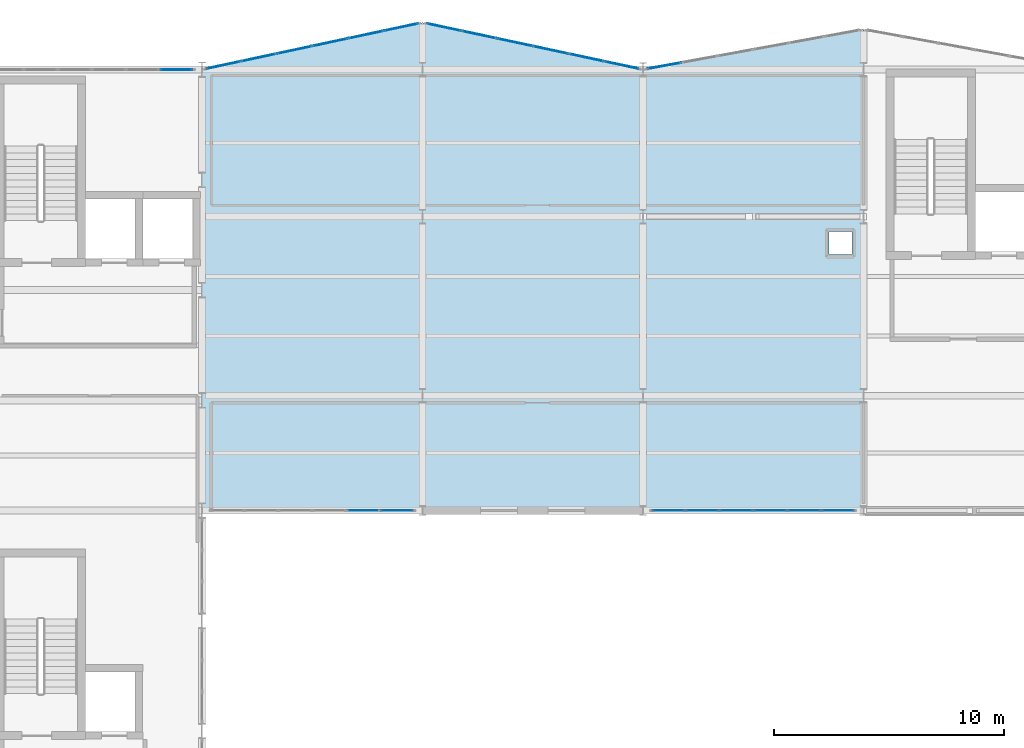
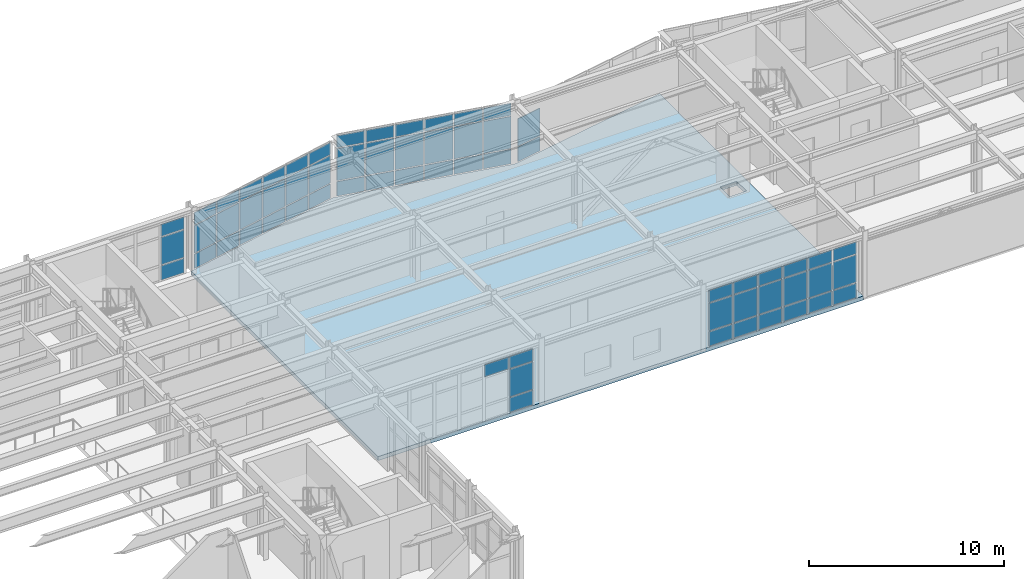
# One storey, part 68 of 99: 63 plates, 1 slab, 6 elements without a shape of their own.
"""IFC4 building model written with IfcOpenShell, lengths in metres."""

import ifcopenshell
import ifcopenshell.guid

model = None  # the IFC model being written
_history = None  # IfcOwnerHistory: only IFC2X3 demands one
_inside = {}  # id of a spatial element -> (the spatial element, [elements in it])
_under = {}  # id of a project, library or spatial element -> (it, [spatial elements below it])
_declared = {}  # id of a project -> (the project, [libraries it declares])
_typed = {}  # id of a type object -> (the type object, [elements of that type])
_made_of = {}  # id of a material, layer set ... -> (it, [elements and type objects made of it])


def new_model(schema):
    """Start an empty IFC model of exactly this schema.

    Asked for "IFC4X3", IfcOpenShell would pick the latest addendum, in which some entities
    have other attributes; the version numbers below select the first issue.
    IFC2X3 requires an IfcOwnerHistory on every rooted entity: one is made here for all.
    """
    global model, _history
    if schema == "IFC4X3":
        model = ifcopenshell.file(schema_version=(4, 3, 0, 0))
    else:
        model = ifcopenshell.file(schema=schema)
    _inside.clear()
    _under.clear()
    _declared.clear()
    _typed.clear()
    _made_of.clear()
    _history = None
    if model.schema == "IFC2X3":
        org = make("IfcOrganization", Name="unknown")
        user = make(
            "IfcPersonAndOrganization",
            ThePerson=make("IfcPerson", FamilyName="unknown"),
            TheOrganization=org,
        )
        app = make(
            "IfcApplication",
            ApplicationDeveloper=org,
            Version="unknown",
            ApplicationFullName="unknown",
            ApplicationIdentifier="unknown",
        )
        _history = make(
            "IfcOwnerHistory",
            OwningUser=user,
            OwningApplication=app,
            ChangeAction="ADDED",
            CreationDate=0,
        )
    return model


def make(cls, **values):
    """One entity of the class cls with the attributes given. An attribute that is None is left unset."""
    return model.create_entity(
        cls, **{name: value for name, value in values.items() if value is not None}
    )


def rooted(cls, **values):
    """An entity with a GlobalId (a new one), such as an element, a storey or a relation."""
    return make(cls, GlobalId=ifcopenshell.guid.new(), OwnerHistory=_history, **values)


def si_unit(unit_type, name, prefix=None):
    """IfcSIUnit, for example si_unit("LENGTHUNIT", "METRE", prefix="MILLI")."""
    return make("IfcSIUnit", UnitType=unit_type, Prefix=prefix, Name=name)


def assignment(units):
    """IfcUnitAssignment: the units of a project."""
    return None if units is None else make("IfcUnitAssignment", Units=units)


def point(xyz):
    """IfcCartesianPoint."""
    return None if xyz is None else make("IfcCartesianPoint", Coordinates=xyz)


def direction(xyz):
    """IfcDirection."""
    return None if xyz is None else make("IfcDirection", DirectionRatios=xyz)


def frame(location, z_axis=None, x_axis=None):
    """IfcAxis2Placement3D, a coordinate frame: its origin and axes. An axis left out is left unset."""
    return make(
        "IfcAxis2Placement3D",
        Location=point(location),
        Axis=direction(z_axis),
        RefDirection=direction(x_axis),
    )


def frame_2d(location, x_axis=None):
    """IfcAxis2Placement2D, a coordinate frame in the plane: its origin and x axis."""
    return make(
        "IfcAxis2Placement2D", Location=point(location), RefDirection=direction(x_axis)
    )


def origin():
    """The frame at (0, 0, 0) with its axes left unset."""
    return frame((0.0, 0.0, 0.0))


def origin_2d():
    """The frame at (0, 0) in the plane with its x axis left unset."""
    return frame_2d((0.0, 0.0))


def place(relative_to, where):
    """IfcLocalPlacement: puts the frame where relative to a parent placement (None: the world)."""
    return make(
        "IfcLocalPlacement", PlacementRelTo=relative_to, RelativePlacement=where
    )


def context(
    kind, dimensions, precision=None, world=None, true_north=None, identifier=None
):
    """IfcGeometricRepresentationContext, for example the 3D "Model" context."""
    return make(
        "IfcGeometricRepresentationContext",
        ContextIdentifier=identifier,
        ContextType=kind,
        CoordinateSpaceDimension=dimensions,
        Precision=precision,
        WorldCoordinateSystem=world,
        TrueNorth=true_north,
    )


def subcontext(parent, identifier, kind, view, scale=None):
    """IfcGeometricRepresentationSubContext, for example "Body" below "Model"."""
    return make(
        "IfcGeometricRepresentationSubContext",
        ContextIdentifier=identifier,
        ContextType=kind,
        ParentContext=parent,
        TargetScale=scale,
        TargetView=view,
    )


def project(units=None, contexts=None):
    """IfcProject with its units and contexts."""
    return rooted(
        "IfcProject",
        Name="project",
        RepresentationContexts=contexts,
        UnitsInContext=assignment(units),
    )


def spatial(cls, under=None, at=None, **own):
    """A site, building, storey or space (cls), placed at a placement, below another one or the project."""
    s = rooted(cls, ObjectPlacement=at, **own)
    if under is not None:
        _under.setdefault(under.id(), (under, []))[1].append(s)
    return s


def polyline(points):
    """IfcPolyline through the points."""
    return make("IfcPolyline", Points=[point(p) for p in points])


def profile(cls, at=None, kind="AREA", **sizes):
    """A parametric profile (cls). Its sizes go by their IFC names, for example OverallWidth=200.0."""
    return make(cls, ProfileType=kind, Position=at, **sizes)


def rectangle(**sizes):
    """IfcRectangleProfileDef."""
    return profile("IfcRectangleProfileDef", **sizes)


def outline(outer, holes=None, kind="AREA"):
    """IfcArbitraryClosedProfileDef: a profile drawn as a closed curve; with holes, ...WithVoids."""
    if holes is None:
        return make("IfcArbitraryClosedProfileDef", ProfileType=kind, OuterCurve=outer)
    return make(
        "IfcArbitraryProfileDefWithVoids",
        ProfileType=kind,
        OuterCurve=outer,
        InnerCurves=holes,
    )


def extrude(swept, where, along, depth):
    """IfcExtrudedAreaSolid: the profile swept, set in the frame where, extruded along a direction by depth."""
    return make(
        "IfcExtrudedAreaSolid",
        SweptArea=swept,
        Position=where,
        ExtrudedDirection=direction(along),
        Depth=depth,
    )


def shape(context_of_items, identifier, shape_type, items):
    """IfcShapeRepresentation: the items that make up one representation, for example the "Body"."""
    return make(
        "IfcShapeRepresentation",
        ContextOfItems=context_of_items,
        RepresentationIdentifier=identifier,
        RepresentationType=shape_type,
        Items=items,
    )


def material(Name=None, Category=None):
    """IfcMaterial."""
    return make("IfcMaterial", Name=Name, Category=Category)


def layer(
    of_material, thickness, ventilated=None, Name=None, Category=None, Priority=None
):
    """IfcMaterialLayer: one layer of a wall or slab, of a material (None: an air gap)."""
    return make(
        "IfcMaterialLayer",
        Material=of_material,
        LayerThickness=thickness,
        IsVentilated=ventilated,
        Name=Name,
        Category=Category,
        Priority=Priority,
    )


def layer_set(layers, Name=None):
    """IfcMaterialLayerSet."""
    return make("IfcMaterialLayerSet", MaterialLayers=layers, LayerSetName=Name)


def made_of(thing, what):
    """Note that an element or type object is made of a material, layer set ...; save() writes the relation."""
    if what is not None:
        _made_of.setdefault(what.id(), (what, []))[1].append(thing)
    return thing


def type_object(cls, material=None, **own):
    """A type object (cls), such as IfcWallType, which elements share."""
    return made_of(rooted(cls, **own), material)


def element(
    cls,
    number,
    at=None,
    inside=None,
    cuts=None,
    type_object=None,
    material=None,
    context=None,
    identifier="Body",
    shape_type=None,
    held_by="IfcProductDefinitionShape",
    body=None,
    shapes=None,
    **own,
):
    """One element of the class cls, such as IfcWall. Its Tag is "e" and its number.

    at: its placement. inside: the storey or other place that contains it. cuts: it is an
    opening in that element (IfcRelVoidsElement). A single representation is given by context,
    identifier, shape_type and body (its items); several are given by shapes. held_by: the class
    of the entity that holds the representations. save() writes the other relations.
    """
    e = rooted(cls, Tag="e%d" % number, ObjectPlacement=at, **own)
    if body is not None:
        shapes = [shape(context, identifier, shape_type, body)]
    if shapes is not None:
        e.Representation = make(held_by, Representations=shapes)
    if inside is not None:
        _inside.setdefault(inside.id(), (inside, []))[1].append(e)
    if cuts is not None:
        rooted(
            "IfcRelVoidsElement", RelatingBuildingElement=cuts, RelatedOpeningElement=e
        )
    if type_object is not None:
        _typed.setdefault(type_object.id(), (type_object, []))[1].append(e)
    return made_of(e, material)


def aggregate(whole, parts):
    """IfcRelAggregates: a whole, such as a stair, and the parts it consists of."""
    return rooted("IfcRelAggregates", RelatingObject=whole, RelatedObjects=parts)


def save(model, path):
    """Write the relations noted so far, then the file.

    IfcRelAggregates (storeys below a building ...), IfcRelContainedInSpatialStructure (elements
    in a storey), IfcRelDefinesByType, IfcRelAssociatesMaterial and IfcRelDeclares: one each for
    every whole, place, type object, material and project.
    """
    for whole, parts in _under.values():
        aggregate(whole, parts)
    for where, things in _inside.values():
        rooted(
            "IfcRelContainedInSpatialStructure",
            RelatedElements=things,
            RelatingStructure=where,
        )
    for kind, things in _typed.values():
        rooted("IfcRelDefinesByType", RelatedObjects=things, RelatingType=kind)
    for what, things in _made_of.values():
        rooted("IfcRelAssociatesMaterial", RelatedObjects=things, RelatingMaterial=what)
    for by, libraries in _declared.values():
        rooted("IfcRelDeclares", RelatingContext=by, RelatedDefinitions=libraries)
    model.write(path)


model = new_model("IFC4")

# Units and contexts
model_context = context("Model", 3, precision=1e-05, world=origin(), true_north=direction((0.0, 1.0)))
body_context = subcontext(model_context, "Body", "Model", "MODEL_VIEW")
ifc_project = project(units=[si_unit("LENGTHUNIT", "METRE"), si_unit("AREAUNIT", "SQUARE_METRE"), si_unit("VOLUMEUNIT", "CUBIC_METRE"), si_unit("PLANEANGLEUNIT", "RADIAN"), si_unit("MASSUNIT", "GRAM", prefix="KILO")], contexts=[model_context])

# Site, building, storey
site_placement = place(None, origin())
site = spatial("IfcSite", under=ifc_project, at=site_placement, CompositionType="ELEMENT")
building_placement = place(site_placement, origin())
building = spatial("IfcBuilding", under=site, at=building_placement, Name="Nordkorset Police Headquarters", CompositionType="ELEMENT")
storey_placement = place(building_placement, frame((0.0, 0.0, 5.25)))
storey = spatial("IfcBuildingStorey", under=building, at=storey_placement, Name="L01", CompositionType="ELEMENT", Elevation=5.25)

# Curtain wall, plates
ifc_material_1 = material(Name="Aluminium alloy AW-6060", Category="aluminium")
ifc_layer_1 = layer(ifc_material_1, 0.179931640625, Name="Aluminium alloy AW-6060")
ifc_layer_set_1 = layer_set([ifc_layer_1], Name="Aluminium alloy AW-6060")
curtain_wall_type_1 = type_object("IfcCurtainWallType", Name="CW_Unit_888x363", PredefinedType="USERDEFINED", material=ifc_layer_set_1)
curtain_wall_1_placement = place(storey_placement, origin())
curtain_wall_1 = element("IfcCurtainWall", 1, at=curtain_wall_1_placement, inside=storey, type_object=curtain_wall_type_1, Name="Unitised Curtain Wall L01 V1N-2", ObjectType="UNITISED CURTAIN WALL", PredefinedType="USERDEFINED")
ifc_material_2 = material(Name="Low-iron triple glazing", Category="glass")
ifc_layer_2 = layer(ifc_material_2, 0.035888671875, Name="Low-iron triple glazing")
ifc_layer_set_2 = layer_set([ifc_layer_2], Name="Low-iron triple glazing")
plate_type = type_object("IfcPlateType", Name="CW_Panel_TripleGlazing_36", PredefinedType="CURTAIN_PANEL", material=ifc_layer_set_2)
plate_1_placement = place(storey_placement, frame((27.683837890625, 116.800048828125, 0.06494140625), z_axis=(0.0, 0.0, 1.0), x_axis=(1.0, 0.0, 0.0)))
plate_1 = element("IfcPlate", 2, at=plate_1_placement, type_object=plate_type, Name="CW-07 panel 6.1", PredefinedType="CURTAIN_PANEL", context=body_context, shape_type="SweptSolid", body=[
    extrude(rectangle(XDim=1.382568359375, YDim=0.035888671875, at=origin_2d()), origin(), (0.0, 0.0, 1.0), 0.902587890625),
])
plate_2_placement = place(storey_placement, frame((27.683837890625, 116.800048828125, 1.0322265625), z_axis=(0.0, 0.0, 1.0), x_axis=(1.0, 0.0, 0.0)))
plate_2 = element("IfcPlate", 3, at=plate_2_placement, type_object=plate_type, Name="CW-07 panel 6.2", PredefinedType="CURTAIN_PANEL", context=body_context, shape_type="SweptSolid", body=[
    extrude(rectangle(XDim=1.382568359375, YDim=0.035888671875, at=origin_2d()), origin(), (0.0, 0.0, 1.0), 1.715087890625),
])
plate_3_placement = place(storey_placement, frame((27.683837890625, 116.800048828125, 2.8125), z_axis=(0.0, 0.0, 1.0), x_axis=(1.0, 0.0, 0.0)))
plate_3 = element("IfcPlate", 4, at=plate_3_placement, type_object=plate_type, Name="CW-07 panel 6.3", PredefinedType="CURTAIN_PANEL", context=body_context, shape_type="SweptSolid", body=[
    extrude(rectangle(XDim=1.382568359375, YDim=0.035888671875, at=origin_2d()), origin(), (0.0, 0.0, 1.0), 0.75244140625),
])
aggregate(curtain_wall_1, [plate_1, plate_2, plate_3])

ifc_material_3 = material(Name="Aluminium alloy AW-6060", Category="aluminium")
ifc_layer_3 = layer(ifc_material_3, 0.179931640625, Name="Aluminium alloy AW-6060")
ifc_layer_set_3 = layer_set([ifc_layer_3], Name="Aluminium alloy AW-6060")
curtain_wall_type_2 = type_object("IfcCurtainWallType", Name="CW_Unit_954x363", PredefinedType="USERDEFINED", material=ifc_layer_set_3)
curtain_wall_2_placement = place(storey_placement, origin())
curtain_wall_2 = element("IfcCurtainWall", 5, at=curtain_wall_2_placement, inside=storey, type_object=curtain_wall_type_2, Name="Unitised Curtain Wall L01 V2N-0", ObjectType="UNITISED CURTAIN WALL", PredefinedType="USERDEFINED")
plate_4_placement = place(storey_placement, frame((29.72998046875, 116.99853515625, 0.06494140625), z_axis=(0.0, 0.0, 1.0), x_axis=(0.977951416289, 0.208832534289, 0.0)))
plate_4 = element("IfcPlate", 6, at=plate_4_placement, type_object=plate_type, Name="CW-106 panel 1.1", PredefinedType="CURTAIN_PANEL", context=body_context, shape_type="SweptSolid", body=[
    extrude(rectangle(XDim=1.491943359375, YDim=0.035888671875, at=origin_2d()), origin(), (0.0, 0.0, 1.0), 0.902587890625),
])
plate_5_placement = place(storey_placement, frame((29.72998046875, 116.99853515625, 1.0322265625), z_axis=(0.0, 0.0, 1.0), x_axis=(0.977951416289, 0.208832534289, 0.0)))
plate_5 = element("IfcPlate", 7, at=plate_5_placement, type_object=plate_type, Name="CW-106 panel 1.2", PredefinedType="CURTAIN_PANEL", context=body_context, shape_type="SweptSolid", body=[
    extrude(rectangle(XDim=1.491943359375, YDim=0.035888671875, at=origin_2d()), origin(), (0.0, 0.0, 1.0), 1.715087890625),
])
plate_6_placement = place(storey_placement, frame((29.72998046875, 116.99853515625, 2.8125), z_axis=(0.0, 0.0, 1.0), x_axis=(0.977951416289, 0.208832534289, 0.0)))
plate_6 = element("IfcPlate", 8, at=plate_6_placement, type_object=plate_type, Name="CW-106 panel 1.3", PredefinedType="CURTAIN_PANEL", context=body_context, shape_type="SweptSolid", body=[
    extrude(rectangle(XDim=1.491943359375, YDim=0.035888671875, at=origin_2d()), origin(), (0.0, 0.0, 1.0), 0.75244140625),
])
plate_7_placement = place(storey_placement, frame((31.2685546875, 117.3271484375, 0.06494140625), z_axis=(0.0, 0.0, 1.0), x_axis=(0.977951416289, 0.208832534289, 0.0)))
plate_7 = element("IfcPlate", 9, at=plate_7_placement, type_object=plate_type, Name="CW-106 panel 2.1", PredefinedType="CURTAIN_PANEL", context=body_context, shape_type="SweptSolid", body=[
    extrude(rectangle(XDim=1.5244140625, YDim=0.035888671875, at=origin_2d()), origin(), (0.0, 0.0, 1.0), 0.902587890625),
])
plate_8_placement = place(storey_placement, frame((31.2685546875, 117.3271484375, 1.0322265625), z_axis=(0.0, 0.0, 1.0), x_axis=(0.977951416289, 0.208832534289, 0.0)))
plate_8 = element("IfcPlate", 10, at=plate_8_placement, type_object=plate_type, Name="CW-106 panel 2.2", PredefinedType="CURTAIN_PANEL", context=body_context, shape_type="SweptSolid", body=[
    extrude(rectangle(XDim=1.5244140625, YDim=0.035888671875, at=origin_2d()), origin(), (0.0, 0.0, 1.0), 1.715087890625),
])
plate_9_placement = place(storey_placement, frame((31.2685546875, 117.3271484375, 2.8125), z_axis=(0.0, 0.0, 1.0), x_axis=(0.977951416289, 0.208832534289, 0.0)))
plate_9 = element("IfcPlate", 11, at=plate_9_placement, type_object=plate_type, Name="CW-106 panel 2.3", PredefinedType="CURTAIN_PANEL", context=body_context, shape_type="SweptSolid", body=[
    extrude(rectangle(XDim=1.5244140625, YDim=0.035888671875, at=origin_2d()), origin(), (0.0, 0.0, 1.0), 0.75244140625),
])
plate_10_placement = place(storey_placement, frame((32.82275390625, 117.658935546875, 0.06494140625), z_axis=(0.0, 0.0, 1.0), x_axis=(0.977951416289, 0.208832534289, 0.0)))
plate_10 = element("IfcPlate", 12, at=plate_10_placement, type_object=plate_type, Name="CW-106 panel 3.1", PredefinedType="CURTAIN_PANEL", context=body_context, shape_type="SweptSolid", body=[
    extrude(rectangle(XDim=1.5244140625, YDim=0.035888671875, at=origin_2d()), origin(), (0.0, 0.0, 1.0), 0.902587890625),
])
plate_11_placement = place(storey_placement, frame((32.82275390625, 117.658935546875, 1.0322265625), z_axis=(0.0, 0.0, 1.0), x_axis=(0.977951416289, 0.208832534289, 0.0)))
plate_11 = element("IfcPlate", 13, at=plate_11_placement, type_object=plate_type, Name="CW-106 panel 3.2", PredefinedType="CURTAIN_PANEL", context=body_context, shape_type="SweptSolid", body=[
    extrude(rectangle(XDim=1.5244140625, YDim=0.035888671875, at=origin_2d()), origin(), (0.0, 0.0, 1.0), 1.715087890625),
])
plate_12_placement = place(storey_placement, frame((32.82275390625, 117.658935546875, 2.8125), z_axis=(0.0, 0.0, 1.0), x_axis=(0.977951416289, 0.208832534289, 0.0)))
plate_12 = element("IfcPlate", 14, at=plate_12_placement, type_object=plate_type, Name="CW-106 panel 3.3", PredefinedType="CURTAIN_PANEL", context=body_context, shape_type="SweptSolid", body=[
    extrude(rectangle(XDim=1.5244140625, YDim=0.035888671875, at=origin_2d()), origin(), (0.0, 0.0, 1.0), 0.75244140625),
])
plate_13_placement = place(storey_placement, frame((34.377197265625, 117.990966796875, 0.06494140625), z_axis=(0.0, 0.0, 1.0), x_axis=(0.977951416289, 0.208832534289, 0.0)))
plate_13 = element("IfcPlate", 15, at=plate_13_placement, type_object=plate_type, Name="CW-106 panel 4.1", PredefinedType="CURTAIN_PANEL", context=body_context, shape_type="SweptSolid", body=[
    extrude(rectangle(XDim=1.5244140625, YDim=0.035888671875, at=origin_2d()), origin(), (0.0, 0.0, 1.0), 0.902587890625),
])
plate_14_placement = place(storey_placement, frame((34.377197265625, 117.990966796875, 1.0322265625), z_axis=(0.0, 0.0, 1.0), x_axis=(0.977951416289, 0.208832534289, 0.0)))
plate_14 = element("IfcPlate", 16, at=plate_14_placement, type_object=plate_type, Name="CW-106 panel 4.2", PredefinedType="CURTAIN_PANEL", context=body_context, shape_type="SweptSolid", body=[
    extrude(rectangle(XDim=1.5244140625, YDim=0.035888671875, at=origin_2d()), origin(), (0.0, 0.0, 1.0), 1.715087890625),
])
plate_15_placement = place(storey_placement, frame((34.377197265625, 117.990966796875, 2.8125), z_axis=(0.0, 0.0, 1.0), x_axis=(0.977951416289, 0.208832534289, 0.0)))
plate_15 = element("IfcPlate", 17, at=plate_15_placement, type_object=plate_type, Name="CW-106 panel 4.3", PredefinedType="CURTAIN_PANEL", context=body_context, shape_type="SweptSolid", body=[
    extrude(rectangle(XDim=1.5244140625, YDim=0.035888671875, at=origin_2d()), origin(), (0.0, 0.0, 1.0), 0.75244140625),
])
plate_16_placement = place(storey_placement, frame((35.931640625, 118.322998046875, 0.06494140625), z_axis=(0.0, 0.0, 1.0), x_axis=(0.977951416289, 0.208832534289, 0.0)))
plate_16 = element("IfcPlate", 18, at=plate_16_placement, type_object=plate_type, Name="CW-106 panel 5.1", PredefinedType="CURTAIN_PANEL", context=body_context, shape_type="SweptSolid", body=[
    extrude(rectangle(XDim=1.5244140625, YDim=0.035888671875, at=origin_2d()), origin(), (0.0, 0.0, 1.0), 0.902587890625),
])
plate_17_placement = place(storey_placement, frame((35.931640625, 118.322998046875, 1.0322265625), z_axis=(0.0, 0.0, 1.0), x_axis=(0.977951416289, 0.208832534289, 0.0)))
plate_17 = element("IfcPlate", 19, at=plate_17_placement, type_object=plate_type, Name="CW-106 panel 5.2", PredefinedType="CURTAIN_PANEL", context=body_context, shape_type="SweptSolid", body=[
    extrude(rectangle(XDim=1.5244140625, YDim=0.035888671875, at=origin_2d()), origin(), (0.0, 0.0, 1.0), 1.715087890625),
])
plate_18_placement = place(storey_placement, frame((35.931640625, 118.322998046875, 2.8125), z_axis=(0.0, 0.0, 1.0), x_axis=(0.977951416289, 0.208832534289, 0.0)))
plate_18 = element("IfcPlate", 20, at=plate_18_placement, type_object=plate_type, Name="CW-106 panel 5.3", PredefinedType="CURTAIN_PANEL", context=body_context, shape_type="SweptSolid", body=[
    extrude(rectangle(XDim=1.5244140625, YDim=0.035888671875, at=origin_2d()), origin(), (0.0, 0.0, 1.0), 0.75244140625),
])
plate_19_placement = place(storey_placement, frame((37.469970703125, 118.6513671875, 0.06494140625), z_axis=(0.0, 0.0, 1.0), x_axis=(0.977951416289, 0.208832534289, 0.0)))
plate_19 = element("IfcPlate", 21, at=plate_19_placement, type_object=plate_type, Name="CW-106 panel 6.1", PredefinedType="CURTAIN_PANEL", context=body_context, shape_type="SweptSolid", body=[
    extrude(rectangle(XDim=1.491943359375, YDim=0.035888671875, at=origin_2d()), origin(), (0.0, 0.0, 1.0), 0.902587890625),
])
plate_20_placement = place(storey_placement, frame((37.469970703125, 118.6513671875, 1.0322265625), z_axis=(0.0, 0.0, 1.0), x_axis=(0.977951416289, 0.208832534289, 0.0)))
plate_20 = element("IfcPlate", 22, at=plate_20_placement, type_object=plate_type, Name="CW-106 panel 6.2", PredefinedType="CURTAIN_PANEL", context=body_context, shape_type="SweptSolid", body=[
    extrude(rectangle(XDim=1.491943359375, YDim=0.035888671875, at=origin_2d()), origin(), (0.0, 0.0, 1.0), 1.715087890625),
])
plate_21_placement = place(storey_placement, frame((37.469970703125, 118.6513671875, 2.8125), z_axis=(0.0, 0.0, 1.0), x_axis=(0.977951416289, 0.208832534289, 0.0)))
plate_21 = element("IfcPlate", 23, at=plate_21_placement, type_object=plate_type, Name="CW-106 panel 6.3", PredefinedType="CURTAIN_PANEL", context=body_context, shape_type="SweptSolid", body=[
    extrude(rectangle(XDim=1.491943359375, YDim=0.035888671875, at=origin_2d()), origin(), (0.0, 0.0, 1.0), 0.75244140625),
])
aggregate(curtain_wall_2, [plate_4, plate_5, plate_6, plate_7, plate_8, plate_9, plate_10, plate_11, plate_12, plate_13, plate_14, plate_15, plate_16, plate_17, plate_18, plate_19, plate_20, plate_21])

curtain_wall_3_placement = place(storey_placement, origin())
curtain_wall_3 = element("IfcCurtainWall", 24, at=curtain_wall_3_placement, inside=storey, type_object=curtain_wall_type_1, Name="Unitised Curtain Wall L01 V2S-0", ObjectType="UNITISED CURTAIN WALL", PredefinedType="USERDEFINED")
plate_22_placement = place(storey_placement, frame((35.820068359375, 97.60009765625, 2.8125), z_axis=(0.0, 0.0, 1.0), x_axis=(1.0, 0.0, 0.0)))
plate_22 = element("IfcPlate", 25, at=plate_22_placement, type_object=plate_type, Name="CW-07 panel 5.3", PredefinedType="CURTAIN_PANEL", context=body_context, shape_type="SweptSolid", body=[
    extrude(rectangle(XDim=1.4150390625, YDim=0.035888671875, at=origin_2d()), origin(), (0.0, 0.0, 1.0), 0.75244140625),
])
plate_23_placement = place(storey_placement, frame((37.28369140625, 97.60009765625, 0.06494140625), z_axis=(0.0, 0.0, 1.0), x_axis=(1.0, 0.0, 0.0)))
plate_23 = element("IfcPlate", 26, at=plate_23_placement, type_object=plate_type, Name="CW-07 panel 6.1", PredefinedType="CURTAIN_PANEL", context=body_context, shape_type="SweptSolid", body=[
    extrude(rectangle(XDim=1.382568359375, YDim=0.035888671875, at=origin_2d()), origin(), (0.0, 0.0, 1.0), 0.902587890625),
])
plate_24_placement = place(storey_placement, frame((37.28369140625, 97.60009765625, 1.0322265625), z_axis=(0.0, 0.0, 1.0), x_axis=(1.0, 0.0, 0.0)))
plate_24 = element("IfcPlate", 27, at=plate_24_placement, type_object=plate_type, Name="CW-07 panel 6.2", PredefinedType="CURTAIN_PANEL", context=body_context, shape_type="SweptSolid", body=[
    extrude(rectangle(XDim=1.382568359375, YDim=0.035888671875, at=origin_2d()), origin(), (0.0, 0.0, 1.0), 1.715087890625),
])
plate_25_placement = place(storey_placement, frame((37.28369140625, 97.60009765625, 2.8125), z_axis=(0.0, 0.0, 1.0), x_axis=(1.0, 0.0, 0.0)))
plate_25 = element("IfcPlate", 28, at=plate_25_placement, type_object=plate_type, Name="CW-07 panel 6.3", PredefinedType="CURTAIN_PANEL", context=body_context, shape_type="SweptSolid", body=[
    extrude(rectangle(XDim=1.382568359375, YDim=0.035888671875, at=origin_2d()), origin(), (0.0, 0.0, 1.0), 0.75244140625),
])
aggregate(curtain_wall_3, [plate_22, plate_23, plate_24, plate_25])

ifc_material_4 = material(Name="Aluminium alloy AW-6060", Category="aluminium")
ifc_layer_4 = layer(ifc_material_4, 0.179931640625, Name="Aluminium alloy AW-6060")
ifc_layer_set_4 = layer_set([ifc_layer_4], Name="Aluminium alloy AW-6060")
curtain_wall_type_3 = type_object("IfcCurtainWallType", Name="CW_Unit_954x392", PredefinedType="USERDEFINED", material=ifc_layer_set_4)
curtain_wall_4_placement = place(storey_placement, origin())
curtain_wall_4 = element("IfcCurtainWall", 29, at=curtain_wall_4_placement, inside=storey, type_object=curtain_wall_type_3, Name="Unitised Curtain Wall L01 V2N-1", ObjectType="UNITISED CURTAIN WALL", PredefinedType="USERDEFINED")
plate_26_placement = place(storey_placement, frame((39.330078125, 118.6513671875, 0.06494140625), z_axis=(0.0, 0.0, 1.0), x_axis=(0.977951416289, -0.208832534289, 0.0)))
plate_26 = element("IfcPlate", 30, at=plate_26_placement, type_object=plate_type, Name="CW-20 panel 1.1", PredefinedType="CURTAIN_PANEL", context=body_context, shape_type="SweptSolid", body=[
    extrude(rectangle(XDim=1.491943359375, YDim=0.035888671875, at=origin_2d()), origin(), (0.0, 0.0, 1.0), 0.902587890625),
])
plate_27_placement = place(storey_placement, frame((39.330078125, 118.6513671875, 1.032470703125), z_axis=(0.0, 0.0, 1.0), x_axis=(0.977951416289, -0.208832534289, 0.0)))
plate_27 = element("IfcPlate", 31, at=plate_27_placement, type_object=plate_type, Name="CW-20 panel 1.2", PredefinedType="CURTAIN_PANEL", context=body_context, shape_type="SweptSolid", body=[
    extrude(rectangle(XDim=1.491943359375, YDim=0.035888671875, at=origin_2d()), origin(), (0.0, 0.0, 1.0), 2.0048828125),
])
plate_28_placement = place(storey_placement, frame((39.330078125, 118.6513671875, 3.1025390625), z_axis=(0.0, 0.0, 1.0), x_axis=(0.977951416289, -0.208832534289, 0.0)))
plate_28 = element("IfcPlate", 32, at=plate_28_placement, type_object=plate_type, Name="CW-20 panel 1.3", PredefinedType="CURTAIN_PANEL", context=body_context, shape_type="SweptSolid", body=[
    extrude(rectangle(XDim=1.491943359375, YDim=0.035888671875, at=origin_2d()), origin(), (0.0, 0.0, 1.0), 0.75244140625),
])
plate_29_placement = place(storey_placement, frame((40.868408203125, 118.322998046875, 0.06494140625), z_axis=(0.0, 0.0, 1.0), x_axis=(0.977951416289, -0.208832534289, 0.0)))
plate_29 = element("IfcPlate", 33, at=plate_29_placement, type_object=plate_type, Name="CW-20 panel 2.1", PredefinedType="CURTAIN_PANEL", context=body_context, shape_type="SweptSolid", body=[
    extrude(rectangle(XDim=1.5244140625, YDim=0.035888671875, at=origin_2d()), origin(), (0.0, 0.0, 1.0), 0.902587890625),
])
plate_30_placement = place(storey_placement, frame((40.868408203125, 118.322998046875, 1.032470703125), z_axis=(0.0, 0.0, 1.0), x_axis=(0.977951416289, -0.208832534289, 0.0)))
plate_30 = element("IfcPlate", 34, at=plate_30_placement, type_object=plate_type, Name="CW-20 panel 2.2", PredefinedType="CURTAIN_PANEL", context=body_context, shape_type="SweptSolid", body=[
    extrude(rectangle(XDim=1.5244140625, YDim=0.035888671875, at=origin_2d()), origin(), (0.0, 0.0, 1.0), 2.0048828125),
])
plate_31_placement = place(storey_placement, frame((40.868408203125, 118.322998046875, 3.1025390625), z_axis=(0.0, 0.0, 1.0), x_axis=(0.977951416289, -0.208832534289, 0.0)))
plate_31 = element("IfcPlate", 35, at=plate_31_placement, type_object=plate_type, Name="CW-20 panel 2.3", PredefinedType="CURTAIN_PANEL", context=body_context, shape_type="SweptSolid", body=[
    extrude(rectangle(XDim=1.5244140625, YDim=0.035888671875, at=origin_2d()), origin(), (0.0, 0.0, 1.0), 0.75244140625),
])
plate_32_placement = place(storey_placement, frame((42.4228515625, 117.990966796875, 0.06494140625), z_axis=(0.0, 0.0, 1.0), x_axis=(0.977951416289, -0.208832534289, 0.0)))
plate_32 = element("IfcPlate", 36, at=plate_32_placement, type_object=plate_type, Name="CW-20 panel 3.1", PredefinedType="CURTAIN_PANEL", context=body_context, shape_type="SweptSolid", body=[
    extrude(rectangle(XDim=1.5244140625, YDim=0.035888671875, at=origin_2d()), origin(), (0.0, 0.0, 1.0), 0.902587890625),
])
plate_33_placement = place(storey_placement, frame((42.4228515625, 117.990966796875, 1.032470703125), z_axis=(0.0, 0.0, 1.0), x_axis=(0.977951416289, -0.208832534289, 0.0)))
plate_33 = element("IfcPlate", 37, at=plate_33_placement, type_object=plate_type, Name="CW-20 panel 3.2", PredefinedType="CURTAIN_PANEL", context=body_context, shape_type="SweptSolid", body=[
    extrude(rectangle(XDim=1.5244140625, YDim=0.035888671875, at=origin_2d()), origin(), (0.0, 0.0, 1.0), 2.0048828125),
])
plate_34_placement = place(storey_placement, frame((42.4228515625, 117.990966796875, 3.1025390625), z_axis=(0.0, 0.0, 1.0), x_axis=(0.977951416289, -0.208832534289, 0.0)))
plate_34 = element("IfcPlate", 38, at=plate_34_placement, type_object=plate_type, Name="CW-20 panel 3.3", PredefinedType="CURTAIN_PANEL", context=body_context, shape_type="SweptSolid", body=[
    extrude(rectangle(XDim=1.5244140625, YDim=0.035888671875, at=origin_2d()), origin(), (0.0, 0.0, 1.0), 0.75244140625),
])
plate_35_placement = place(storey_placement, frame((43.977294921875, 117.658935546875, 0.06494140625), z_axis=(0.0, 0.0, 1.0), x_axis=(0.977951416289, -0.208832534289, 0.0)))
plate_35 = element("IfcPlate", 39, at=plate_35_placement, type_object=plate_type, Name="CW-20 panel 4.1", PredefinedType="CURTAIN_PANEL", context=body_context, shape_type="SweptSolid", body=[
    extrude(rectangle(XDim=1.5244140625, YDim=0.035888671875, at=origin_2d()), origin(), (0.0, 0.0, 1.0), 0.902587890625),
])
plate_36_placement = place(storey_placement, frame((43.977294921875, 117.658935546875, 1.032470703125), z_axis=(0.0, 0.0, 1.0), x_axis=(0.977951416289, -0.208832534289, 0.0)))
plate_36 = element("IfcPlate", 40, at=plate_36_placement, type_object=plate_type, Name="CW-20 panel 4.2", PredefinedType="CURTAIN_PANEL", context=body_context, shape_type="SweptSolid", body=[
    extrude(rectangle(XDim=1.5244140625, YDim=0.035888671875, at=origin_2d()), origin(), (0.0, 0.0, 1.0), 2.0048828125),
])
plate_37_placement = place(storey_placement, frame((43.977294921875, 117.658935546875, 3.1025390625), z_axis=(0.0, 0.0, 1.0), x_axis=(0.977951416289, -0.208832534289, 0.0)))
plate_37 = element("IfcPlate", 41, at=plate_37_placement, type_object=plate_type, Name="CW-20 panel 4.3", PredefinedType="CURTAIN_PANEL", context=body_context, shape_type="SweptSolid", body=[
    extrude(rectangle(XDim=1.5244140625, YDim=0.035888671875, at=origin_2d()), origin(), (0.0, 0.0, 1.0), 0.75244140625),
])
plate_38_placement = place(storey_placement, frame((45.531494140625, 117.3271484375, 0.06494140625), z_axis=(0.0, 0.0, 1.0), x_axis=(0.977951416289, -0.208832534289, 0.0)))
plate_38 = element("IfcPlate", 42, at=plate_38_placement, type_object=plate_type, Name="CW-20 panel 5.1", PredefinedType="CURTAIN_PANEL", context=body_context, shape_type="SweptSolid", body=[
    extrude(rectangle(XDim=1.5244140625, YDim=0.035888671875, at=origin_2d()), origin(), (0.0, 0.0, 1.0), 0.902587890625),
])
plate_39_placement = place(storey_placement, frame((45.531494140625, 117.3271484375, 1.032470703125), z_axis=(0.0, 0.0, 1.0), x_axis=(0.977951416289, -0.208832534289, 0.0)))
plate_39 = element("IfcPlate", 43, at=plate_39_placement, type_object=plate_type, Name="CW-20 panel 5.2", PredefinedType="CURTAIN_PANEL", context=body_context, shape_type="SweptSolid", body=[
    extrude(rectangle(XDim=1.5244140625, YDim=0.035888671875, at=origin_2d()), origin(), (0.0, 0.0, 1.0), 2.0048828125),
])
plate_40_placement = place(storey_placement, frame((45.531494140625, 117.3271484375, 3.1025390625), z_axis=(0.0, 0.0, 1.0), x_axis=(0.977951416289, -0.208832534289, 0.0)))
plate_40 = element("IfcPlate", 44, at=plate_40_placement, type_object=plate_type, Name="CW-20 panel 5.3", PredefinedType="CURTAIN_PANEL", context=body_context, shape_type="SweptSolid", body=[
    extrude(rectangle(XDim=1.5244140625, YDim=0.035888671875, at=origin_2d()), origin(), (0.0, 0.0, 1.0), 0.75244140625),
])
plate_41_placement = place(storey_placement, frame((47.070068359375, 116.99853515625, 0.06494140625), z_axis=(0.0, 0.0, 1.0), x_axis=(0.977951416289, -0.208832534289, 0.0)))
plate_41 = element("IfcPlate", 45, at=plate_41_placement, type_object=plate_type, Name="CW-20 panel 6.1", PredefinedType="CURTAIN_PANEL", context=body_context, shape_type="SweptSolid", body=[
    extrude(rectangle(XDim=1.491943359375, YDim=0.035888671875, at=origin_2d()), origin(), (0.0, 0.0, 1.0), 0.902587890625),
])
plate_42_placement = place(storey_placement, frame((47.070068359375, 116.99853515625, 1.032470703125), z_axis=(0.0, 0.0, 1.0), x_axis=(0.977951416289, -0.208832534289, 0.0)))
plate_42 = element("IfcPlate", 46, at=plate_42_placement, type_object=plate_type, Name="CW-20 panel 6.2", PredefinedType="CURTAIN_PANEL", context=body_context, shape_type="SweptSolid", body=[
    extrude(rectangle(XDim=1.491943359375, YDim=0.035888671875, at=origin_2d()), origin(), (0.0, 0.0, 1.0), 2.0048828125),
])
plate_43_placement = place(storey_placement, frame((47.070068359375, 116.99853515625, 3.1025390625), z_axis=(0.0, 0.0, 1.0), x_axis=(0.977951416289, -0.208832534289, 0.0)))
plate_43 = element("IfcPlate", 47, at=plate_43_placement, type_object=plate_type, Name="CW-20 panel 6.3", PredefinedType="CURTAIN_PANEL", context=body_context, shape_type="SweptSolid", body=[
    extrude(rectangle(XDim=1.491943359375, YDim=0.035888671875, at=origin_2d()), origin(), (0.0, 0.0, 1.0), 0.75244140625),
])
aggregate(curtain_wall_4, [plate_26, plate_27, plate_28, plate_29, plate_30, plate_31, plate_32, plate_33, plate_34, plate_35, plate_36, plate_37, plate_38, plate_39, plate_40, plate_41, plate_42, plate_43])

ifc_material_5 = material(Name="Aluminium alloy AW-6060", Category="aluminium")
ifc_layer_5 = layer(ifc_material_5, 0.179931640625, Name="Aluminium alloy AW-6060")
ifc_layer_set_5 = layer_set([ifc_layer_5], Name="Aluminium alloy AW-6060")
curtain_wall_type_4 = type_object("IfcCurtainWallType", Name="CW_Unit_948x363", PredefinedType="USERDEFINED", material=ifc_layer_set_5)
curtain_wall_5_placement = place(storey_placement, origin())
curtain_wall_5 = element("IfcCurtainWall", 48, at=curtain_wall_5_placement, inside=storey, type_object=curtain_wall_type_4, Name="Unitised Curtain Wall L01 V2N-2", ObjectType="UNITISED CURTAIN WALL", PredefinedType="USERDEFINED")
plate_44_placement = place(storey_placement, frame((48.9306640625, 116.9697265625, 0.06494140625), z_axis=(0.0, 0.0, 1.0), x_axis=(0.983787934979, 0.179335715876, 0.0)))
plate_44 = element("IfcPlate", 49, at=plate_44_placement, type_object=plate_type, Name="CW-69 panel 1.1", PredefinedType="CURTAIN_PANEL", context=body_context, shape_type="SweptSolid", body=[
    extrude(rectangle(XDim=1.482177734375, YDim=0.035888671875, at=origin_2d()), origin(), (0.0, 0.0, 1.0), 0.902587890625),
])
plate_45_placement = place(storey_placement, frame((48.9306640625, 116.9697265625, 1.0322265625), z_axis=(0.0, 0.0, 1.0), x_axis=(0.983787934979, 0.179335715876, 0.0)))
plate_45 = element("IfcPlate", 50, at=plate_45_placement, type_object=plate_type, Name="CW-69 panel 1.2", PredefinedType="CURTAIN_PANEL", context=body_context, shape_type="SweptSolid", body=[
    extrude(rectangle(XDim=1.482177734375, YDim=0.035888671875, at=origin_2d()), origin(), (0.0, 0.0, 1.0), 1.715087890625),
])
aggregate(curtain_wall_5, [plate_44, plate_45])

curtain_wall_6_placement = place(storey_placement, origin())
curtain_wall_6 = element("IfcCurtainWall", 51, at=curtain_wall_6_placement, inside=storey, type_object=curtain_wall_type_1, Name="Unitised Curtain Wall L01 V2S-2", ObjectType="UNITISED CURTAIN WALL", PredefinedType="USERDEFINED")
plate_46_placement = place(storey_placement, frame((49.1162109375, 97.60009765625, 0.06494140625), z_axis=(0.0, 0.0, 1.0), x_axis=(1.0, 0.0, 0.0)))
plate_46 = element("IfcPlate", 52, at=plate_46_placement, type_object=plate_type, Name="CW-07 panel 1.1", PredefinedType="CURTAIN_PANEL", context=body_context, shape_type="SweptSolid", body=[
    extrude(rectangle(XDim=1.382568359375, YDim=0.035888671875, at=origin_2d()), origin(), (0.0, 0.0, 1.0), 0.902587890625),
])
plate_47_placement = place(storey_placement, frame((49.1162109375, 97.60009765625, 1.0322265625), z_axis=(0.0, 0.0, 1.0), x_axis=(1.0, 0.0, 0.0)))
plate_47 = element("IfcPlate", 53, at=plate_47_placement, type_object=plate_type, Name="CW-07 panel 1.2", PredefinedType="CURTAIN_PANEL", context=body_context, shape_type="SweptSolid", body=[
    extrude(rectangle(XDim=1.382568359375, YDim=0.035888671875, at=origin_2d()), origin(), (0.0, 0.0, 1.0), 1.715087890625),
])
plate_48_placement = place(storey_placement, frame((49.1162109375, 97.60009765625, 2.8125), z_axis=(0.0, 0.0, 1.0), x_axis=(1.0, 0.0, 0.0)))
plate_48 = element("IfcPlate", 54, at=plate_48_placement, type_object=plate_type, Name="CW-07 panel 1.3", PredefinedType="CURTAIN_PANEL", context=body_context, shape_type="SweptSolid", body=[
    extrude(rectangle(XDim=1.382568359375, YDim=0.035888671875, at=origin_2d()), origin(), (0.0, 0.0, 1.0), 0.75244140625),
])
plate_49_placement = place(storey_placement, frame((50.580078125, 97.60009765625, 0.06494140625), z_axis=(0.0, 0.0, 1.0), x_axis=(1.0, 0.0, 0.0)))
plate_49 = element("IfcPlate", 55, at=plate_49_placement, type_object=plate_type, Name="CW-07 panel 2.1", PredefinedType="CURTAIN_PANEL", context=body_context, shape_type="SweptSolid", body=[
    extrude(rectangle(XDim=1.4150390625, YDim=0.035888671875, at=origin_2d()), origin(), (0.0, 0.0, 1.0), 0.902587890625),
])
plate_50_placement = place(storey_placement, frame((50.580078125, 97.60009765625, 1.0322265625), z_axis=(0.0, 0.0, 1.0), x_axis=(1.0, 0.0, 0.0)))
plate_50 = element("IfcPlate", 56, at=plate_50_placement, type_object=plate_type, Name="CW-07 panel 2.2", PredefinedType="CURTAIN_PANEL", context=body_context, shape_type="SweptSolid", body=[
    extrude(rectangle(XDim=1.4150390625, YDim=0.035888671875, at=origin_2d()), origin(), (0.0, 0.0, 1.0), 1.715087890625),
])
plate_51_placement = place(storey_placement, frame((50.580078125, 97.60009765625, 2.8125), z_axis=(0.0, 0.0, 1.0), x_axis=(1.0, 0.0, 0.0)))
plate_51 = element("IfcPlate", 57, at=plate_51_placement, type_object=plate_type, Name="CW-07 panel 2.3", PredefinedType="CURTAIN_PANEL", context=body_context, shape_type="SweptSolid", body=[
    extrude(rectangle(XDim=1.4150390625, YDim=0.035888671875, at=origin_2d()), origin(), (0.0, 0.0, 1.0), 0.75244140625),
])
plate_52_placement = place(storey_placement, frame((52.06005859375, 97.60009765625, 0.06494140625), z_axis=(0.0, 0.0, 1.0), x_axis=(1.0, 0.0, 0.0)))
plate_52 = element("IfcPlate", 58, at=plate_52_placement, type_object=plate_type, Name="CW-07 panel 3.1", PredefinedType="CURTAIN_PANEL", context=body_context, shape_type="SweptSolid", body=[
    extrude(rectangle(XDim=1.4150390625, YDim=0.035888671875, at=origin_2d()), origin(), (0.0, 0.0, 1.0), 0.902587890625),
])
plate_53_placement = place(storey_placement, frame((52.06005859375, 97.60009765625, 1.0322265625), z_axis=(0.0, 0.0, 1.0), x_axis=(1.0, 0.0, 0.0)))
plate_53 = element("IfcPlate", 59, at=plate_53_placement, type_object=plate_type, Name="CW-07 panel 3.2", PredefinedType="CURTAIN_PANEL", context=body_context, shape_type="SweptSolid", body=[
    extrude(rectangle(XDim=1.4150390625, YDim=0.035888671875, at=origin_2d()), origin(), (0.0, 0.0, 1.0), 1.715087890625),
])
plate_54_placement = place(storey_placement, frame((52.06005859375, 97.60009765625, 2.8125), z_axis=(0.0, 0.0, 1.0), x_axis=(1.0, 0.0, 0.0)))
plate_54 = element("IfcPlate", 60, at=plate_54_placement, type_object=plate_type, Name="CW-07 panel 3.3", PredefinedType="CURTAIN_PANEL", context=body_context, shape_type="SweptSolid", body=[
    extrude(rectangle(XDim=1.4150390625, YDim=0.035888671875, at=origin_2d()), origin(), (0.0, 0.0, 1.0), 0.75244140625),
])
plate_55_placement = place(storey_placement, frame((53.5400390625, 97.60009765625, 0.06494140625), z_axis=(0.0, 0.0, 1.0), x_axis=(1.0, 0.0, 0.0)))
plate_55 = element("IfcPlate", 61, at=plate_55_placement, type_object=plate_type, Name="CW-07 panel 4.1", PredefinedType="CURTAIN_PANEL", context=body_context, shape_type="SweptSolid", body=[
    extrude(rectangle(XDim=1.4150390625, YDim=0.035888671875, at=origin_2d()), origin(), (0.0, 0.0, 1.0), 0.902587890625),
])
plate_56_placement = place(storey_placement, frame((53.5400390625, 97.60009765625, 1.0322265625), z_axis=(0.0, 0.0, 1.0), x_axis=(1.0, 0.0, 0.0)))
plate_56 = element("IfcPlate", 62, at=plate_56_placement, type_object=plate_type, Name="CW-07 panel 4.2", PredefinedType="CURTAIN_PANEL", context=body_context, shape_type="SweptSolid", body=[
    extrude(rectangle(XDim=1.4150390625, YDim=0.035888671875, at=origin_2d()), origin(), (0.0, 0.0, 1.0), 1.715087890625),
])
plate_57_placement = place(storey_placement, frame((53.5400390625, 97.60009765625, 2.8125), z_axis=(0.0, 0.0, 1.0), x_axis=(1.0, 0.0, 0.0)))
plate_57 = element("IfcPlate", 63, at=plate_57_placement, type_object=plate_type, Name="CW-07 panel 4.3", PredefinedType="CURTAIN_PANEL", context=body_context, shape_type="SweptSolid", body=[
    extrude(rectangle(XDim=1.4150390625, YDim=0.035888671875, at=origin_2d()), origin(), (0.0, 0.0, 1.0), 0.75244140625),
])
plate_58_placement = place(storey_placement, frame((55.02001953125, 97.60009765625, 0.06494140625), z_axis=(0.0, 0.0, 1.0), x_axis=(1.0, 0.0, 0.0)))
plate_58 = element("IfcPlate", 64, at=plate_58_placement, type_object=plate_type, Name="CW-07 panel 5.1", PredefinedType="CURTAIN_PANEL", context=body_context, shape_type="SweptSolid", body=[
    extrude(rectangle(XDim=1.4150390625, YDim=0.035888671875, at=origin_2d()), origin(), (0.0, 0.0, 1.0), 0.902587890625),
])
plate_59_placement = place(storey_placement, frame((55.02001953125, 97.60009765625, 1.0322265625), z_axis=(0.0, 0.0, 1.0), x_axis=(1.0, 0.0, 0.0)))
plate_59 = element("IfcPlate", 65, at=plate_59_placement, type_object=plate_type, Name="CW-07 panel 5.2", PredefinedType="CURTAIN_PANEL", context=body_context, shape_type="SweptSolid", body=[
    extrude(rectangle(XDim=1.4150390625, YDim=0.035888671875, at=origin_2d()), origin(), (0.0, 0.0, 1.0), 1.715087890625),
])
plate_60_placement = place(storey_placement, frame((55.02001953125, 97.60009765625, 2.8125), z_axis=(0.0, 0.0, 1.0), x_axis=(1.0, 0.0, 0.0)))
plate_60 = element("IfcPlate", 66, at=plate_60_placement, type_object=plate_type, Name="CW-07 panel 5.3", PredefinedType="CURTAIN_PANEL", context=body_context, shape_type="SweptSolid", body=[
    extrude(rectangle(XDim=1.4150390625, YDim=0.035888671875, at=origin_2d()), origin(), (0.0, 0.0, 1.0), 0.75244140625),
])
plate_61_placement = place(storey_placement, frame((56.483642578125, 97.60009765625, 0.06494140625), z_axis=(0.0, 0.0, 1.0), x_axis=(1.0, 0.0, 0.0)))
plate_61 = element("IfcPlate", 67, at=plate_61_placement, type_object=plate_type, Name="CW-07 panel 6.1", PredefinedType="CURTAIN_PANEL", context=body_context, shape_type="SweptSolid", body=[
    extrude(rectangle(XDim=1.382568359375, YDim=0.035888671875, at=origin_2d()), origin(), (0.0, 0.0, 1.0), 0.902587890625),
])
plate_62_placement = place(storey_placement, frame((56.483642578125, 97.60009765625, 1.0322265625), z_axis=(0.0, 0.0, 1.0), x_axis=(1.0, 0.0, 0.0)))
plate_62 = element("IfcPlate", 68, at=plate_62_placement, type_object=plate_type, Name="CW-07 panel 6.2", PredefinedType="CURTAIN_PANEL", context=body_context, shape_type="SweptSolid", body=[
    extrude(rectangle(XDim=1.382568359375, YDim=0.035888671875, at=origin_2d()), origin(), (0.0, 0.0, 1.0), 1.715087890625),
])
plate_63_placement = place(storey_placement, frame((56.483642578125, 97.60009765625, 2.8125), z_axis=(0.0, 0.0, 1.0), x_axis=(1.0, 0.0, 0.0)))
plate_63 = element("IfcPlate", 69, at=plate_63_placement, type_object=plate_type, Name="CW-07 panel 6.3", PredefinedType="CURTAIN_PANEL", context=body_context, shape_type="SweptSolid", body=[
    extrude(rectangle(XDim=1.382568359375, YDim=0.035888671875, at=origin_2d()), origin(), (0.0, 0.0, 1.0), 0.75244140625),
])
aggregate(curtain_wall_6, [plate_46, plate_47, plate_48, plate_49, plate_50, plate_51, plate_52, plate_53, plate_54, plate_55, plate_56, plate_57, plate_58, plate_59, plate_60, plate_61, plate_62, plate_63])

# Slab
ifc_material_6 = material(Name="Concrete C35/45", Category="concrete")
ifc_layer_6 = layer(ifc_material_6, 0.25, Name="Concrete C35/45")
ifc_layer_set_6 = layer_set([ifc_layer_6], Name="Concrete C35/45")
slab_type = type_object("IfcSlabType", Name="Slab_Hall_250", PredefinedType="FLOOR", material=ifc_layer_set_6)
slab_placement = place(storey_placement, frame((0.0, 0.0, -0.25)))
element("IfcSlab", 70, at=slab_placement, inside=storey, type_object=slab_type, Name="Composite Floor Slab V2 West L01", PredefinedType="FLOOR", context=body_context, shape_type="SweptSolid", body=[
    extrude(outline(polyline([(28.802001953125, 116.800048828125), (38.39990234375, 118.85009765625), (48.0, 116.800048828125), (57.60009765625, 118.550048828125), (57.60009765625, 97.60009765625), (28.802001953125, 97.60009765625), (28.802001953125, 116.800048828125)]), holes=[polyline([(57.10009765625, 109.75), (56.10009765625, 109.75), (56.10009765625, 108.75), (57.10009765625, 108.75), (57.10009765625, 109.75)])]), origin(), (0.0, 0.0, 1.0), 0.25),
])

save(model, "model.ifc")
